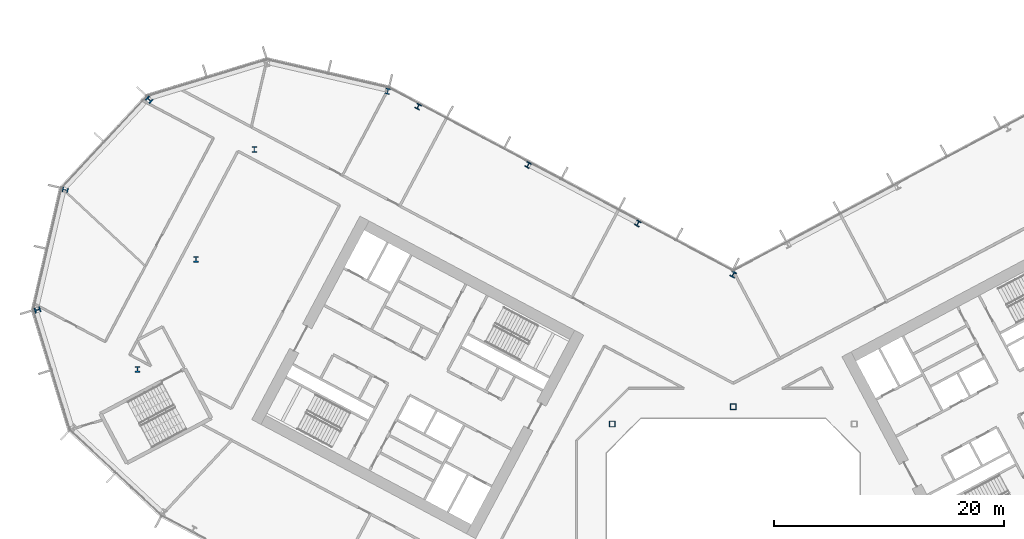
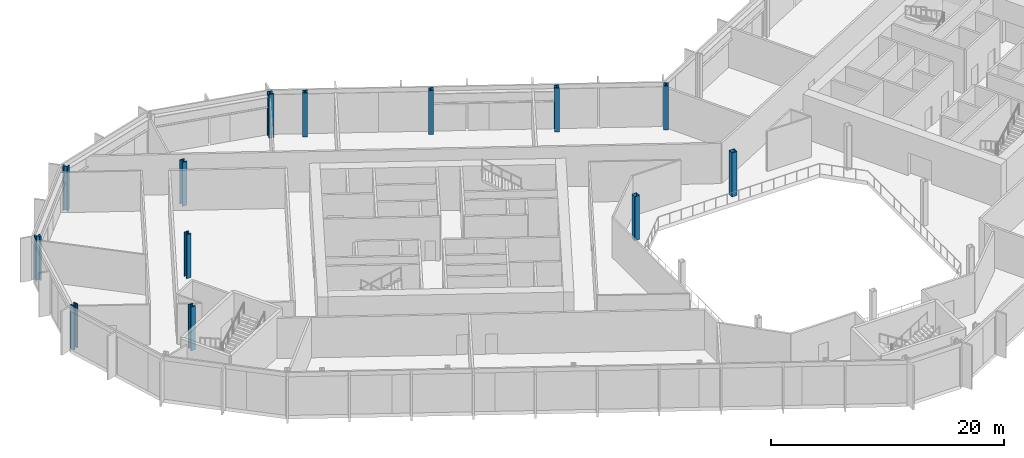
# One storey, part 2 of 32: 13 columns.
"""IFC4 building model written with IfcOpenShell, lengths in metres."""

from ifc_helpers import new_model, si_unit, direction, frame, origin, origin_2d, place, context, subcontext, project, spatial, hollow_rectangle, i_section, extrude, material, material_profile, profile_set, type_object, element, save


model = new_model("IFC4")

# Units and contexts
model_context = context("Model", 3, precision=1e-05, world=origin(), true_north=direction((0.0, 1.0)))
body_context = subcontext(model_context, "Body", "Model", "MODEL_VIEW")
ifc_project = project(units=[si_unit("LENGTHUNIT", "METRE"), si_unit("AREAUNIT", "SQUARE_METRE"), si_unit("VOLUMEUNIT", "CUBIC_METRE"), si_unit("PLANEANGLEUNIT", "RADIAN"), si_unit("MASSUNIT", "GRAM", prefix="KILO")], contexts=[model_context])

# Site, building, storey
site_placement = place(None, origin())
site = spatial("IfcSite", under=ifc_project, at=site_placement, CompositionType="ELEMENT")
building_placement = place(site_placement, origin())
building = spatial("IfcBuilding", under=site, at=building_placement, Name="Cormorant Relay Tower", CompositionType="ELEMENT")
storey_placement = place(building_placement, frame((0.0, 0.0, 75.39990234375)))
storey = spatial("IfcBuildingStorey", under=building, at=storey_placement, Name="L14", CompositionType="ELEMENT", Elevation=75.39990234375)

# Columns
ifc_material_1 = material(Name="Steel ASTM A500 Grade C (Fy 345 MPa)", Category="steel")
ifc_material_profile_1 = material_profile(ifc_material_1, hollow_rectangle(XDim=0.508056640625, YDim=0.508056640625, WallThickness=0.020751953125, InnerFilletRadius=0.01025390625, OuterFilletRadius=0.031005859375, at=origin_2d()), Name="HSS508x508x21")
ifc_profile_set_1 = profile_set([ifc_material_profile_1], Name="Steel ASTM A500 Grade C (Fy 345 MPa)")
column_type_1 = type_object("IfcColumnType", Name="Column HSS508x508x21", PredefinedType="COLUMN", material=ifc_profile_set_1)
for number, where, z_axis, x_axis, name in (
    (1, (-10.5, 10.5, 0.0), (0.0, 0.0, 1.0), (1.0, 0.0, 0.0), "Column L14-022"),
    (2, (0.0, 12.0, 0.0), (0.0, 0.0, 1.0), (1.0, 0.0, 0.0), "Column L14-024"),
):
    element("IfcColumn", number, at=place(storey_placement, frame(where, z_axis=z_axis, x_axis=x_axis)), inside=storey, type_object=column_type_1, Name=name, PredefinedType="COLUMN", context=body_context, shape_type="SweptSolid", body=[
        extrude(hollow_rectangle(XDim=0.508056640625, YDim=0.508056640625, WallThickness=0.020751953125, InnerFilletRadius=0.01025390625, OuterFilletRadius=0.031005859375, at=origin_2d()), origin(), (0.0, 0.0, 1.0), 4.60009765625),
    ])
ifc_material_2 = material(Name="Steel ASTM A992 (Fy 345 MPa)", Category="steel")
ifc_material_profile_2 = material_profile(ifc_material_2, i_section(OverallWidth=0.42431640625, OverallDepth=0.47509765625, WebThickness=0.0478515625, FlangeThickness=0.0771484375, FilletRadius=0.014892578125, at=origin_2d()), Name="W360x634")
ifc_profile_set_2 = profile_set([ifc_material_profile_2], Name="Steel ASTM A992 (Fy 345 MPa)")
column_type_2 = type_object("IfcColumnType", Name="Column W360x634", PredefinedType="COLUMN", material=ifc_profile_set_2)
for number, where, z_axis, x_axis, name in (
    (3, (-8.26611328125, 27.906982421875, 0.0), (0.0, 0.0, 1.0), (-0.882947592859, 0.469471562786, 0.0), "Column L14-036"),
    (4, (-17.802001953125, 32.97802734375, 0.0), (0.0, 0.0, 1.0), (-0.882947592859, 0.469471562786, 0.0), "Column L14-041"),
    (5, (-27.337890625, 38.048095703125, 0.0), (0.0, 0.0, 1.0), (-0.882947592859, 0.469471562786, 0.0), "Column L14-046"),
):
    element("IfcColumn", number, at=place(storey_placement, frame(where, z_axis=z_axis, x_axis=x_axis)), inside=storey, type_object=column_type_2, Name=name, PredefinedType="COLUMN", context=body_context, shape_type="SweptSolid", body=[
        extrude(i_section(OverallWidth=0.42431640625, OverallDepth=0.47509765625, WebThickness=0.0478515625, FlangeThickness=0.0771484375, FilletRadius=0.014892578125, at=origin_2d()), origin(), (0.0, 0.0, 1.0), 4.60009765625),
    ])
ifc_material_3 = material(Name="Steel ASTM A992 (Fy 345 MPa)", Category="steel")
ifc_material_profile_3 = material_profile(ifc_material_3, i_section(OverallWidth=0.43701171875, OverallDepth=0.51318359375, WebThickness=0.060546875, FlangeThickness=0.096923828125, FilletRadius=0.015380859375, at=origin_2d()), Name="W360x818")
ifc_profile_set_3 = profile_set([ifc_material_profile_3], Name="Steel ASTM A992 (Fy 345 MPa)")
column_type_3 = type_object("IfcColumnType", Name="Column W360x818", PredefinedType="COLUMN", material=ifc_profile_set_3)
for number, where, z_axis, x_axis, name in (
    (6, (-51.68994140625, 15.251953125, 0.0), (0.0, 0.0, 1.0), (1.0, 0.0, 0.0), "Column L14-027"),
    (7, (-60.3701171875, 20.406005859375, 0.0), (0.0, 0.0, 1.0), (0.292371704723, -0.956304755963, 0.0), "Column L14-030"),
    (8, (0.0, 23.48388671875, 0.0), (0.0, 0.0, 1.0), (-0.882947592859, 0.469471562786, 0.0), "Column L14-032"),
    (9, (-46.6201171875, 24.7880859375, 0.0), (0.0, 0.0, 1.0), (1.0, 0.0, 0.0), "Column L14-034"),
    (10, (-57.966064453125, 30.821044921875, 0.0), (0.0, 0.0, 1.0), (-0.224951054344, -0.974370064785, 0.0), "Column L14-038"),
    (11, (-41.549072265625, 34.323974609375, 0.0), (0.0, 0.0, 1.0), (1.0, 0.0, 0.0), "Column L14-043"),
    (12, (-50.675048828125, 38.637939453125, 0.0), (0.0, 0.0, 1.0), (-0.681998360062, -0.731353701619, 0.0), "Column L14-047"),
    (13, (-29.98193359375, 39.3779296875, 0.0), (0.0, 0.0, 1.0), (-0.974370064785, 0.224951054344, 0.0), "Column L14-048"),
):
    element("IfcColumn", number, at=place(storey_placement, frame(where, z_axis=z_axis, x_axis=x_axis)), inside=storey, type_object=column_type_3, Name=name, PredefinedType="COLUMN", context=body_context, shape_type="SweptSolid", body=[
        extrude(i_section(OverallWidth=0.43701171875, OverallDepth=0.51318359375, WebThickness=0.060546875, FlangeThickness=0.096923828125, FilletRadius=0.015380859375, at=origin_2d()), origin(), (0.0, 0.0, 1.0), 4.60009765625),
    ])

save(model, "model.ifc")
